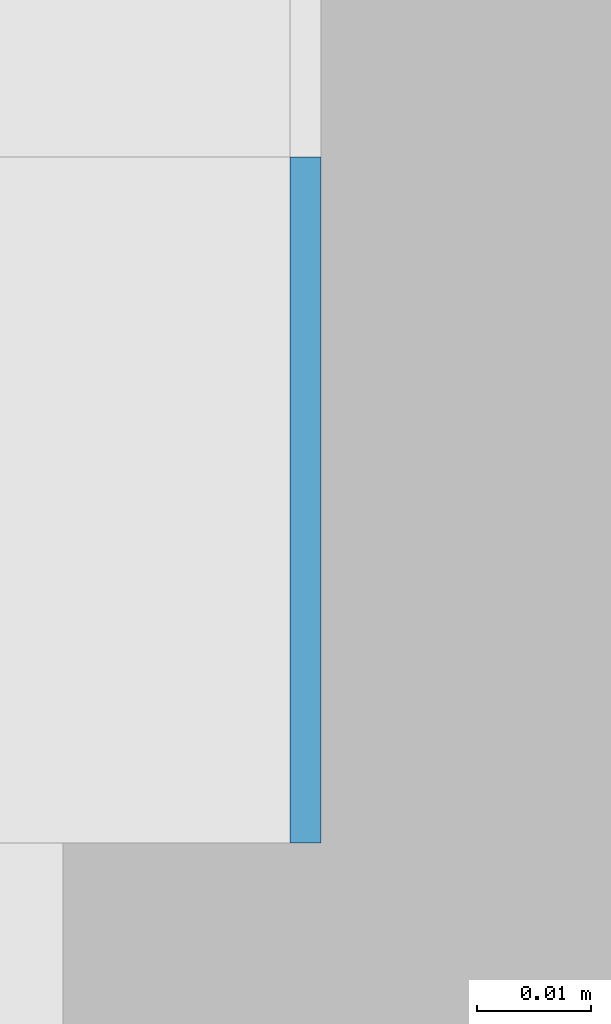
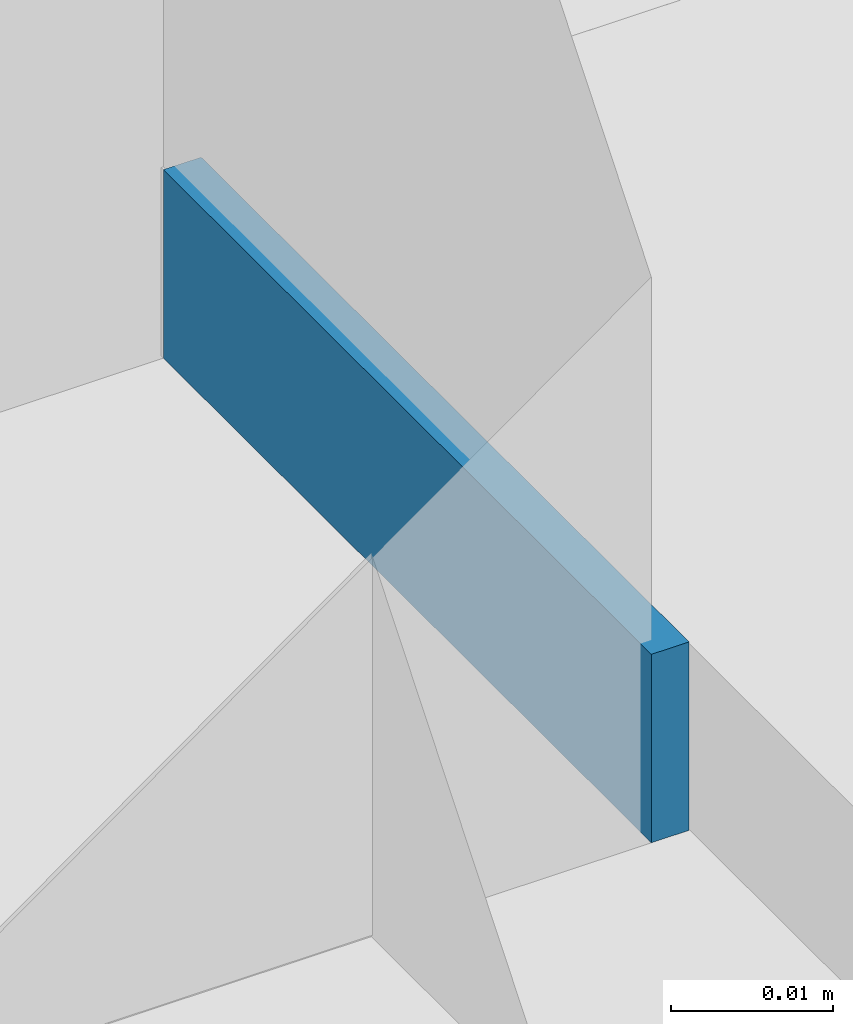
# One storey, part 268 of 646: 1 discrete accessory.
"""IFC4 building model written with IfcOpenShell, lengths in metres."""

from ifc_helpers import new_model, si_unit, direction, frame, origin, origin_2d, place, context, subcontext, project, spatial, rectangle, extrude, material, type_object, element, save


model = new_model("IFC4")

# Units and contexts
model_context = context("Model", 3, precision=1e-05, world=origin(), true_north=direction((0.0, 1.0)))
body_context = subcontext(model_context, "Body", "Model", "MODEL_VIEW")
ifc_project = project(units=[si_unit("LENGTHUNIT", "METRE"), si_unit("AREAUNIT", "SQUARE_METRE"), si_unit("VOLUMEUNIT", "CUBIC_METRE"), si_unit("PLANEANGLEUNIT", "RADIAN"), si_unit("MASSUNIT", "GRAM", prefix="KILO")], contexts=[model_context])

# Site, building, storey
site_placement = place(None, origin())
site = spatial("IfcSite", under=ifc_project, at=site_placement, CompositionType="ELEMENT")
building_placement = place(site_placement, origin())
building = spatial("IfcBuilding", under=site, at=building_placement, Name="Silverbay Arena", CompositionType="ELEMENT")
storey_placement = place(building_placement, frame((0.0, 0.0, 33.5)))
storey = spatial("IfcBuildingStorey", under=building, at=storey_placement, Name="L05", CompositionType="ELEMENT", Elevation=33.5)

# Discrete accessory
ifc_material = material(Name="Steel S355", Category="steel")
discrete_accessory_type = type_object("IfcDiscreteAccessoryType", Name="Steel bracket plate", PredefinedType="BRACKET", material=ifc_material)
discrete_accessory_placement = place(storey_placement, frame((53.871337890625, 44.969970703125, 4.0), z_axis=(0.0, 0.0, 1.0), x_axis=(1.0, 0.0, 0.0)))
element("IfcDiscreteAccessory", 1, at=discrete_accessory_placement, inside=storey, type_object=discrete_accessory_type, Name="Curtain wall packing plate", PredefinedType="BRACKET", context=body_context, shape_type="SweptSolid", body=[
    extrude(rectangle(XDim=0.002685546875, YDim=0.06005859375, at=origin_2d()), origin(), (0.0, 0.0, 1.0), 0.01416015625),
])

save(model, "model.ifc")
